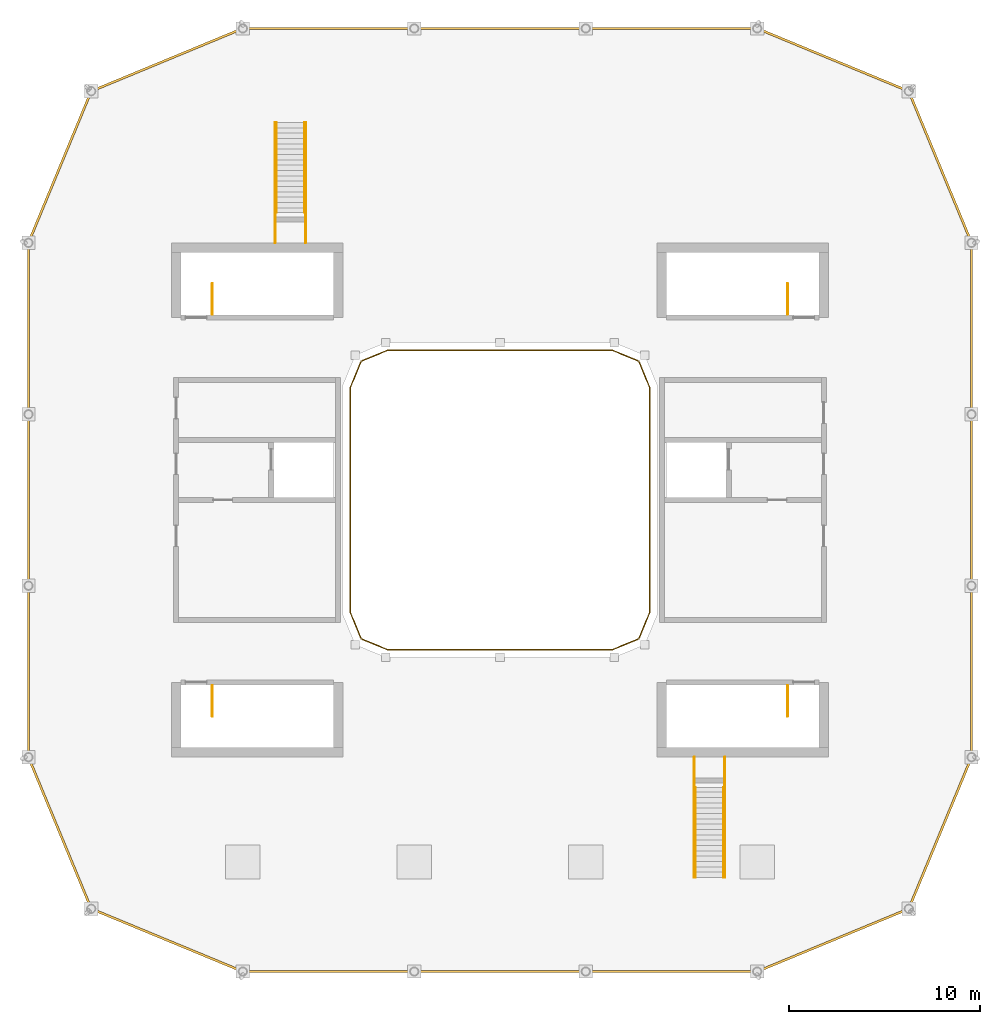
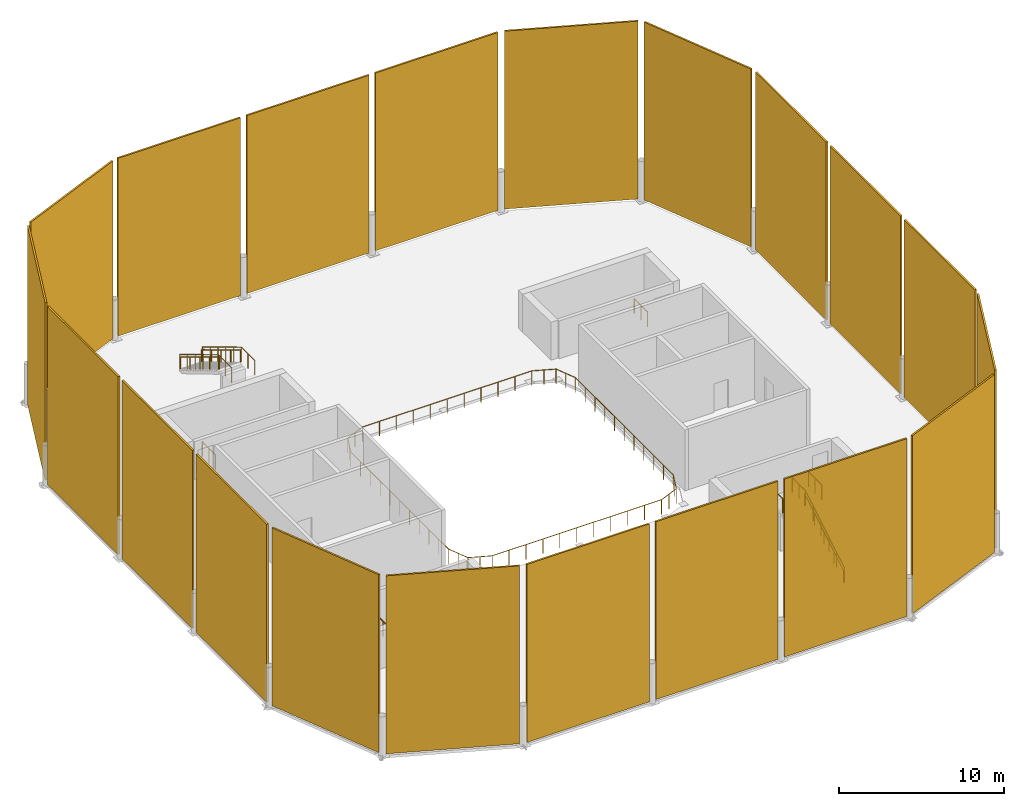
# One storey, part 8 of 8: 20 shading devices, 14 railings.
"""IFC4 building model written with IfcOpenShell, lengths in metres."""

from ifc_helpers import new_model, si_unit, direction, frame, origin, origin_2d, place, context, subcontext, project, spatial, rectangle, circle, extrude, material, layer, layer_set, type_object, element, save


model = new_model("IFC4")

# Units and contexts
model_context = context("Model", 3, precision=1e-05, world=origin(), true_north=direction((0.0, 1.0)))
body_context = subcontext(model_context, "Body", "Model", "MODEL_VIEW")
ifc_project = project(units=[si_unit("LENGTHUNIT", "METRE"), si_unit("AREAUNIT", "SQUARE_METRE"), si_unit("VOLUMEUNIT", "CUBIC_METRE"), si_unit("PLANEANGLEUNIT", "RADIAN"), si_unit("MASSUNIT", "GRAM", prefix="KILO")], contexts=[model_context])

# Site, building, storey
site_placement = place(None, origin())
site = spatial("IfcSite", under=ifc_project, at=site_placement, CompositionType="ELEMENT")
building_placement = place(site_placement, origin())
building = spatial("IfcBuilding", under=site, at=building_placement, Name="Siwar Civic Tower", CompositionType="ELEMENT")
storey_placement = place(building_placement, frame((0.0, 0.0, 358.199951171875)))
storey = spatial("IfcBuildingStorey", under=building, at=storey_placement, Name="ROOF", CompositionType="ELEMENT", Elevation=358.199951171875)

# Railings
ifc_material_1 = material(Name="Stainless steel", Category="steel")
railing_type_1 = type_object("IfcRailingType", Name="CORE-STAIR-GUARD", PredefinedType="GUARDRAIL", material=ifc_material_1)
for number, where, name in (
    (1, (-15.10009765625, 9.75, 0.0), "Stair well guard ST1"),
    (2, (-15.10009765625, -11.35009765625, 0.0), "Stair well guard ST2"),
    (3, (15.10009765625, 9.75, 0.0), "Stair well guard ST3"),
    (4, (15.10009765625, -11.35009765625, 0.0), "Stair well guard ST4"),
):
    element("IfcRailing", number, at=place(storey_placement, frame(where)), inside=storey, type_object=railing_type_1, Name=name, PredefinedType="GUARDRAIL", context=body_context, shape_type="SweptSolid", body=[
        extrude(circle(Radius=0.02490234375, at=origin_2d()), frame((0.0, 0.0, 1.0751953125), z_axis=(0.0, 1.0, 0.0), x_axis=(-1.0, 0.0, 0.0)), (0.0, 0.0, 1.0), 1.60009765625),
        extrude(circle(Radius=0.02001953125, at=origin_2d()), origin(), (0.0, 0.0, 1.0), 1.050048828125),
        extrude(circle(Radius=0.02001953125, at=origin_2d()), frame((0.0, 0.800048828125, 0.0)), (0.0, 0.0, 1.0), 1.050048828125),
        extrude(circle(Radius=0.02001953125, at=origin_2d()), frame((0.0, 1.60009765625, 0.0)), (0.0, 0.0, 1.0), 1.050048828125),
    ])
for number, where, name in (
    (5, (-10.199951171875, 19.81005859375, 0.166748046875), "Stair guard RS1"),
    (6, (-11.800048828125, 19.81005859375, 0.166748046875), "Stair guard RS1"),
):
    element("IfcRailing", number, at=place(storey_placement, frame(where)), inside=storey, type_object=railing_type_1, Name=name, PredefinedType="GUARDRAIL", context=body_context, shape_type="SweptSolid", body=[
        extrude(circle(Radius=0.02490234375, at=origin_2d()), frame((0.0, 0.0, 1.0751953125), z_axis=(0.0, -0.856908409796, 0.515468696645), x_axis=(1.0, 0.0, 0.0)), (0.0, 0.0, 1.0), 5.496337890625),
        extrude(circle(Radius=0.02490234375, at=origin_2d()), frame((0.0, -4.7099609375, 3.908203125), z_axis=(0.0, -1.0, 0.0), x_axis=(1.0, 0.0, 0.0)), (0.0, 0.0, 1.0), 1.60009765625),
        extrude(circle(Radius=0.02001953125, at=origin_2d()), origin(), (0.0, 0.0, 1.0), 1.050048828125),
        extrude(circle(Radius=0.02001953125, at=origin_2d()), frame((0.0, -0.94189453125, 0.566650390625)), (0.0, 0.0, 1.0), 1.050048828125),
        extrude(circle(Radius=0.02001953125, at=origin_2d()), frame((0.0, -1.884033203125, 1.13330078125)), (0.0, 0.0, 1.0), 1.050048828125),
        extrude(circle(Radius=0.02001953125, at=origin_2d()), frame((0.0, -2.825927734375, 1.699951171875)), (0.0, 0.0, 1.0), 1.050048828125),
        extrude(circle(Radius=0.02001953125, at=origin_2d()), frame((0.0, -3.76806640625, 2.2666015625)), (0.0, 0.0, 1.0), 1.050048828125),
        extrude(circle(Radius=0.02001953125, at=origin_2d()), frame((0.0, -4.7099609375, 2.833251953125)), (0.0, 0.0, 1.0), 1.050048828125),
        extrude(circle(Radius=0.02001953125, at=origin_2d()), frame((0.0, -5.510009765625, 2.833251953125)), (0.0, 0.0, 1.0), 1.050048828125),
        extrude(circle(Radius=0.02001953125, at=origin_2d()), frame((0.0, -6.31005859375, 2.833251953125)), (0.0, 0.0, 1.0), 1.050048828125),
    ])
for number, where, name in (
    (7, (10.199951171875, -19.81005859375, 0.166748046875), "Stair guard RS2"),
    (8, (11.800048828125, -19.81005859375, 0.166748046875), "Stair guard RS2"),
):
    element("IfcRailing", number, at=place(storey_placement, frame(where)), inside=storey, type_object=railing_type_1, Name=name, PredefinedType="GUARDRAIL", context=body_context, shape_type="SweptSolid", body=[
        extrude(circle(Radius=0.02490234375, at=origin_2d()), frame((0.0, 0.0, 1.0751953125), z_axis=(0.0, 0.856908409796, 0.515468696645), x_axis=(-1.0, 0.0, 0.0)), (0.0, 0.0, 1.0), 5.496337890625),
        extrude(circle(Radius=0.02490234375, at=origin_2d()), frame((0.0, 4.7099609375, 3.908203125), z_axis=(0.0, 1.0, 0.0), x_axis=(-1.0, 0.0, 0.0)), (0.0, 0.0, 1.0), 1.60009765625),
        extrude(circle(Radius=0.02001953125, at=origin_2d()), origin(), (0.0, 0.0, 1.0), 1.050048828125),
        extrude(circle(Radius=0.02001953125, at=origin_2d()), frame((0.0, 0.94189453125, 0.566650390625)), (0.0, 0.0, 1.0), 1.050048828125),
        extrude(circle(Radius=0.02001953125, at=origin_2d()), frame((0.0, 1.884033203125, 1.13330078125)), (0.0, 0.0, 1.0), 1.050048828125),
        extrude(circle(Radius=0.02001953125, at=origin_2d()), frame((0.0, 2.825927734375, 1.699951171875)), (0.0, 0.0, 1.0), 1.050048828125),
        extrude(circle(Radius=0.02001953125, at=origin_2d()), frame((0.0, 3.76806640625, 2.2666015625)), (0.0, 0.0, 1.0), 1.050048828125),
        extrude(circle(Radius=0.02001953125, at=origin_2d()), frame((0.0, 4.7099609375, 2.833251953125)), (0.0, 0.0, 1.0), 1.050048828125),
        extrude(circle(Radius=0.02001953125, at=origin_2d()), frame((0.0, 5.510009765625, 2.833251953125)), (0.0, 0.0, 1.0), 1.050048828125),
        extrude(circle(Radius=0.02001953125, at=origin_2d()), frame((0.0, 6.31005859375, 2.833251953125)), (0.0, 0.0, 1.0), 1.050048828125),
    ])
ifc_material_2 = material(Name="Stainless steel", Category="steel")
railing_type_2 = type_object("IfcRailingType", Name="CORE-STAIR-HANDRAIL", PredefinedType="HANDRAIL", material=ifc_material_2)
for number, where, name in (
    (9, (-10.258056640625, 19.81005859375, 0.166748046875), "Stair handrail RS1"),
    (10, (-11.741943359375, 19.81005859375, 0.166748046875), "Stair handrail RS1"),
):
    element("IfcRailing", number, at=place(storey_placement, frame(where)), inside=storey, type_object=railing_type_2, Name=name, PredefinedType="HANDRAIL", context=body_context, shape_type="SweptSolid", body=[
        extrude(circle(Radius=0.02001953125, at=origin_2d()), frame((0.0, 0.0, 0.8798828125), z_axis=(0.0, -0.856908409796, 0.515468696645), x_axis=(1.0, 0.0, 0.0)), (0.0, 0.0, 1.0), 5.496337890625),
        extrude(circle(Radius=0.02001953125, at=origin_2d()), origin(), (0.0, 0.0, 1.0), 0.85986328125),
        extrude(circle(Radius=0.02001953125, at=origin_2d()), frame((0.0, -1.177490234375, 0.708251953125)), (0.0, 0.0, 1.0), 0.85986328125),
        extrude(circle(Radius=0.02001953125, at=origin_2d()), frame((0.0, -2.35498046875, 1.41650390625)), (0.0, 0.0, 1.0), 0.85986328125),
        extrude(circle(Radius=0.02001953125, at=origin_2d()), frame((0.0, -3.532470703125, 2.125)), (0.0, 0.0, 1.0), 0.85986328125),
        extrude(circle(Radius=0.02001953125, at=origin_2d()), frame((0.0, -4.7099609375, 2.833251953125)), (0.0, 0.0, 1.0), 0.85986328125),
    ])
for number, where, name in (
    (11, (10.258056640625, -19.81005859375, 0.166748046875), "Stair handrail RS2"),
    (12, (11.741943359375, -19.81005859375, 0.166748046875), "Stair handrail RS2"),
):
    element("IfcRailing", number, at=place(storey_placement, frame(where)), inside=storey, type_object=railing_type_2, Name=name, PredefinedType="HANDRAIL", context=body_context, shape_type="SweptSolid", body=[
        extrude(circle(Radius=0.02001953125, at=origin_2d()), frame((0.0, 0.0, 0.8798828125), z_axis=(0.0, 0.856908409796, 0.515468696645), x_axis=(-1.0, 0.0, 0.0)), (0.0, 0.0, 1.0), 5.496337890625),
        extrude(circle(Radius=0.02001953125, at=origin_2d()), origin(), (0.0, 0.0, 1.0), 0.85986328125),
        extrude(circle(Radius=0.02001953125, at=origin_2d()), frame((0.0, 1.177490234375, 0.708251953125)), (0.0, 0.0, 1.0), 0.85986328125),
        extrude(circle(Radius=0.02001953125, at=origin_2d()), frame((0.0, 2.35498046875, 1.41650390625)), (0.0, 0.0, 1.0), 0.85986328125),
        extrude(circle(Radius=0.02001953125, at=origin_2d()), frame((0.0, 3.532470703125, 2.125)), (0.0, 0.0, 1.0), 0.85986328125),
        extrude(circle(Radius=0.02001953125, at=origin_2d()), frame((0.0, 4.7099609375, 2.833251953125)), (0.0, 0.0, 1.0), 0.85986328125),
    ])
ifc_material_3 = material(Name="Stainless steel 316", Category="steel")
railing_type_3 = type_object("IfcRailingType", Name="ENV-GUARD-ROOF", PredefinedType="GUARDRAIL", material=ifc_material_3)
railing_1_placement = place(storey_placement, frame((-5.92041015625, -7.85009765625, 0.0)))
element("IfcRailing", 13, at=railing_1_placement, inside=storey, type_object=railing_type_3, Name="Roof deck guard round the well a", PredefinedType="GUARDRAIL", context=body_context, shape_type="SweptSolid", body=[
    extrude(circle(Radius=0.02392578125, at=origin_2d()), frame((0.0, 0.0, 1.076171875), z_axis=(1.0, 0.0, 0.0), x_axis=(0.0, 1.0, 0.0)), (0.0, 0.0, 1.0), 11.8408203125),
    extrude(circle(Radius=0.02392578125, at=origin_2d()), frame((11.8408203125, 0.0, 1.076171875), z_axis=(0.923881846869, 0.382677844964, 0.0), x_axis=(-0.382677844964, 0.923881846869, 0.0)), (0.0, 0.0, 1.0), 1.476806640625),
    extrude(circle(Radius=0.02392578125, at=origin_2d()), frame((13.205322265625, 0.565185546875, 1.076171875), z_axis=(0.382677844964, 0.923881846869, 0.0), x_axis=(-0.923881846869, 0.382677844964, 0.0)), (0.0, 0.0, 1.0), 1.476806640625),
    extrude(circle(Radius=0.02392578125, at=origin_2d()), frame((13.7705078125, 1.9296875, 1.076171875), z_axis=(0.0, 1.0, 0.0), x_axis=(-1.0, 0.0, 0.0)), (0.0, 0.0, 1.0), 11.8408203125),
    extrude(circle(Radius=0.02392578125, at=origin_2d()), frame((13.7705078125, 13.7705078125, 1.076171875), z_axis=(-0.382677844964, 0.923881846869, 0.0), x_axis=(-0.923881846869, -0.382677844964, 0.0)), (0.0, 0.0, 1.0), 1.476806640625),
    extrude(circle(Radius=0.02392578125, at=origin_2d()), frame((13.205322265625, 15.135009765625, 1.076171875), z_axis=(-0.923881846869, 0.382677844964, 0.0), x_axis=(-0.382677844964, -0.923881846869, 0.0)), (0.0, 0.0, 1.0), 1.476806640625),
    extrude(circle(Radius=0.02099609375, at=origin_2d()), origin(), (0.0, 0.0, 1.0), 1.052001953125),
    extrude(circle(Radius=0.02099609375, at=origin_2d()), frame((1.18408203125, 0.0, 0.0)), (0.0, 0.0, 1.0), 1.052001953125),
    extrude(circle(Radius=0.02099609375, at=origin_2d()), frame((2.3681640625, 0.0, 0.0)), (0.0, 0.0, 1.0), 1.052001953125),
    extrude(circle(Radius=0.02099609375, at=origin_2d()), frame((3.55224609375, 0.0, 0.0)), (0.0, 0.0, 1.0), 1.052001953125),
    extrude(circle(Radius=0.02099609375, at=origin_2d()), frame((4.736328125, 0.0, 0.0)), (0.0, 0.0, 1.0), 1.052001953125),
    extrude(circle(Radius=0.02099609375, at=origin_2d()), frame((5.92041015625, 0.0, 0.0)), (0.0, 0.0, 1.0), 1.052001953125),
    extrude(circle(Radius=0.02099609375, at=origin_2d()), frame((7.1044921875, 0.0, 0.0)), (0.0, 0.0, 1.0), 1.052001953125),
    extrude(circle(Radius=0.02099609375, at=origin_2d()), frame((8.28857421875, 0.0, 0.0)), (0.0, 0.0, 1.0), 1.052001953125),
    extrude(circle(Radius=0.02099609375, at=origin_2d()), frame((9.47265625, 0.0, 0.0)), (0.0, 0.0, 1.0), 1.052001953125),
    extrude(circle(Radius=0.02099609375, at=origin_2d()), frame((10.65673828125, 0.0, 0.0)), (0.0, 0.0, 1.0), 1.052001953125),
    extrude(circle(Radius=0.02099609375, at=origin_2d()), frame((11.8408203125, 0.0, 0.0)), (0.0, 0.0, 1.0), 1.052001953125),
    extrude(circle(Radius=0.02099609375, at=origin_2d()), frame((12.52294921875, 0.28271484375, 0.0)), (0.0, 0.0, 1.0), 1.052001953125),
    extrude(circle(Radius=0.02099609375, at=origin_2d()), frame((13.205322265625, 0.565185546875, 0.0)), (0.0, 0.0, 1.0), 1.052001953125),
    extrude(circle(Radius=0.02099609375, at=origin_2d()), frame((13.48779296875, 1.24755859375, 0.0)), (0.0, 0.0, 1.0), 1.052001953125),
    extrude(circle(Radius=0.02099609375, at=origin_2d()), frame((13.7705078125, 1.9296875, 0.0)), (0.0, 0.0, 1.0), 1.052001953125),
    extrude(circle(Radius=0.02099609375, at=origin_2d()), frame((13.7705078125, 3.11376953125, 0.0)), (0.0, 0.0, 1.0), 1.052001953125),
    extrude(circle(Radius=0.02099609375, at=origin_2d()), frame((13.7705078125, 4.2978515625, 0.0)), (0.0, 0.0, 1.0), 1.052001953125),
    extrude(circle(Radius=0.02099609375, at=origin_2d()), frame((13.7705078125, 5.48193359375, 0.0)), (0.0, 0.0, 1.0), 1.052001953125),
    extrude(circle(Radius=0.02099609375, at=origin_2d()), frame((13.7705078125, 6.666015625, 0.0)), (0.0, 0.0, 1.0), 1.052001953125),
    extrude(circle(Radius=0.02099609375, at=origin_2d()), frame((13.7705078125, 7.85009765625, 0.0)), (0.0, 0.0, 1.0), 1.052001953125),
    extrude(circle(Radius=0.02099609375, at=origin_2d()), frame((13.7705078125, 9.0341796875, 0.0)), (0.0, 0.0, 1.0), 1.052001953125),
    extrude(circle(Radius=0.02099609375, at=origin_2d()), frame((13.7705078125, 10.21826171875, 0.0)), (0.0, 0.0, 1.0), 1.052001953125),
    extrude(circle(Radius=0.02099609375, at=origin_2d()), frame((13.7705078125, 11.40234375, 0.0)), (0.0, 0.0, 1.0), 1.052001953125),
    extrude(circle(Radius=0.02099609375, at=origin_2d()), frame((13.7705078125, 12.58642578125, 0.0)), (0.0, 0.0, 1.0), 1.052001953125),
    extrude(circle(Radius=0.02099609375, at=origin_2d()), frame((13.7705078125, 13.7705078125, 0.0)), (0.0, 0.0, 1.0), 1.052001953125),
    extrude(circle(Radius=0.02099609375, at=origin_2d()), frame((13.48779296875, 14.45263671875, 0.0)), (0.0, 0.0, 1.0), 1.052001953125),
    extrude(circle(Radius=0.02099609375, at=origin_2d()), frame((13.205322265625, 15.135009765625, 0.0)), (0.0, 0.0, 1.0), 1.052001953125),
    extrude(circle(Radius=0.02099609375, at=origin_2d()), frame((12.52294921875, 15.41748046875, 0.0)), (0.0, 0.0, 1.0), 1.052001953125),
    extrude(circle(Radius=0.02099609375, at=origin_2d()), frame((11.8408203125, 15.7001953125, 0.0)), (0.0, 0.0, 1.0), 1.052001953125),
])
railing_2_placement = place(storey_placement, frame((5.92041015625, 7.85009765625, 0.0)))
element("IfcRailing", 14, at=railing_2_placement, inside=storey, type_object=railing_type_3, Name="Roof deck guard round the well b", PredefinedType="GUARDRAIL", context=body_context, shape_type="SweptSolid", body=[
    extrude(circle(Radius=0.02392578125, at=origin_2d()), frame((0.0, 0.0, 1.076171875), z_axis=(-1.0, 0.0, 0.0), x_axis=(0.0, -1.0, 0.0)), (0.0, 0.0, 1.0), 11.8408203125),
    extrude(circle(Radius=0.02392578125, at=origin_2d()), frame((-11.8408203125, 0.0, 1.076171875), z_axis=(-0.923881846869, -0.382677844964, 0.0), x_axis=(0.382677844964, -0.923881846869, 0.0)), (0.0, 0.0, 1.0), 1.476806640625),
    extrude(circle(Radius=0.02392578125, at=origin_2d()), frame((-13.205322265625, -0.565185546875, 1.076171875), z_axis=(-0.382677844964, -0.923881846869, 0.0), x_axis=(0.923881846869, -0.382677844964, 0.0)), (0.0, 0.0, 1.0), 1.476806640625),
    extrude(circle(Radius=0.02392578125, at=origin_2d()), frame((-13.7705078125, -1.9296875, 1.076171875), z_axis=(0.0, -1.0, 0.0), x_axis=(1.0, 0.0, 0.0)), (0.0, 0.0, 1.0), 11.8408203125),
    extrude(circle(Radius=0.02392578125, at=origin_2d()), frame((-13.7705078125, -13.7705078125, 1.076171875), z_axis=(0.382677844964, -0.923881846869, 0.0), x_axis=(0.923881846869, 0.382677844964, 0.0)), (0.0, 0.0, 1.0), 1.476806640625),
    extrude(circle(Radius=0.02392578125, at=origin_2d()), frame((-13.205322265625, -15.135009765625, 1.076171875), z_axis=(0.923881846869, -0.382677844964, 0.0), x_axis=(0.382677844964, 0.923881846869, 0.0)), (0.0, 0.0, 1.0), 1.476806640625),
    extrude(circle(Radius=0.02099609375, at=origin_2d()), origin(), (0.0, 0.0, 1.0), 1.052001953125),
    extrude(circle(Radius=0.02099609375, at=origin_2d()), frame((-1.18408203125, 0.0, 0.0)), (0.0, 0.0, 1.0), 1.052001953125),
    extrude(circle(Radius=0.02099609375, at=origin_2d()), frame((-2.3681640625, 0.0, 0.0)), (0.0, 0.0, 1.0), 1.052001953125),
    extrude(circle(Radius=0.02099609375, at=origin_2d()), frame((-3.55224609375, 0.0, 0.0)), (0.0, 0.0, 1.0), 1.052001953125),
    extrude(circle(Radius=0.02099609375, at=origin_2d()), frame((-4.736328125, 0.0, 0.0)), (0.0, 0.0, 1.0), 1.052001953125),
    extrude(circle(Radius=0.02099609375, at=origin_2d()), frame((-5.92041015625, 0.0, 0.0)), (0.0, 0.0, 1.0), 1.052001953125),
    extrude(circle(Radius=0.02099609375, at=origin_2d()), frame((-7.1044921875, 0.0, 0.0)), (0.0, 0.0, 1.0), 1.052001953125),
    extrude(circle(Radius=0.02099609375, at=origin_2d()), frame((-8.28857421875, 0.0, 0.0)), (0.0, 0.0, 1.0), 1.052001953125),
    extrude(circle(Radius=0.02099609375, at=origin_2d()), frame((-9.47265625, 0.0, 0.0)), (0.0, 0.0, 1.0), 1.052001953125),
    extrude(circle(Radius=0.02099609375, at=origin_2d()), frame((-10.65673828125, 0.0, 0.0)), (0.0, 0.0, 1.0), 1.052001953125),
    extrude(circle(Radius=0.02099609375, at=origin_2d()), frame((-11.8408203125, 0.0, 0.0)), (0.0, 0.0, 1.0), 1.052001953125),
    extrude(circle(Radius=0.02099609375, at=origin_2d()), frame((-12.52294921875, -0.28271484375, 0.0)), (0.0, 0.0, 1.0), 1.052001953125),
    extrude(circle(Radius=0.02099609375, at=origin_2d()), frame((-13.205322265625, -0.565185546875, 0.0)), (0.0, 0.0, 1.0), 1.052001953125),
    extrude(circle(Radius=0.02099609375, at=origin_2d()), frame((-13.48779296875, -1.24755859375, 0.0)), (0.0, 0.0, 1.0), 1.052001953125),
    extrude(circle(Radius=0.02099609375, at=origin_2d()), frame((-13.7705078125, -1.9296875, 0.0)), (0.0, 0.0, 1.0), 1.052001953125),
    extrude(circle(Radius=0.02099609375, at=origin_2d()), frame((-13.7705078125, -3.11376953125, 0.0)), (0.0, 0.0, 1.0), 1.052001953125),
    extrude(circle(Radius=0.02099609375, at=origin_2d()), frame((-13.7705078125, -4.2978515625, 0.0)), (0.0, 0.0, 1.0), 1.052001953125),
    extrude(circle(Radius=0.02099609375, at=origin_2d()), frame((-13.7705078125, -5.48193359375, 0.0)), (0.0, 0.0, 1.0), 1.052001953125),
    extrude(circle(Radius=0.02099609375, at=origin_2d()), frame((-13.7705078125, -6.666015625, 0.0)), (0.0, 0.0, 1.0), 1.052001953125),
    extrude(circle(Radius=0.02099609375, at=origin_2d()), frame((-13.7705078125, -7.85009765625, 0.0)), (0.0, 0.0, 1.0), 1.052001953125),
    extrude(circle(Radius=0.02099609375, at=origin_2d()), frame((-13.7705078125, -9.0341796875, 0.0)), (0.0, 0.0, 1.0), 1.052001953125),
    extrude(circle(Radius=0.02099609375, at=origin_2d()), frame((-13.7705078125, -10.21826171875, 0.0)), (0.0, 0.0, 1.0), 1.052001953125),
    extrude(circle(Radius=0.02099609375, at=origin_2d()), frame((-13.7705078125, -11.40234375, 0.0)), (0.0, 0.0, 1.0), 1.052001953125),
    extrude(circle(Radius=0.02099609375, at=origin_2d()), frame((-13.7705078125, -12.58642578125, 0.0)), (0.0, 0.0, 1.0), 1.052001953125),
    extrude(circle(Radius=0.02099609375, at=origin_2d()), frame((-13.7705078125, -13.7705078125, 0.0)), (0.0, 0.0, 1.0), 1.052001953125),
    extrude(circle(Radius=0.02099609375, at=origin_2d()), frame((-13.48779296875, -14.45263671875, 0.0)), (0.0, 0.0, 1.0), 1.052001953125),
    extrude(circle(Radius=0.02099609375, at=origin_2d()), frame((-13.205322265625, -15.135009765625, 0.0)), (0.0, 0.0, 1.0), 1.052001953125),
    extrude(circle(Radius=0.02099609375, at=origin_2d()), frame((-12.52294921875, -15.41748046875, 0.0)), (0.0, 0.0, 1.0), 1.052001953125),
    extrude(circle(Radius=0.02099609375, at=origin_2d()), frame((-11.8408203125, -15.7001953125, 0.0)), (0.0, 0.0, 1.0), 1.052001953125),
])

# Shading devices
ifc_material_4 = material(Name="Aluminium louvre blade", Category="aluminium")
ifc_layer = layer(ifc_material_4, 0.1201171875)
ifc_layer_set = layer_set([ifc_layer], Name="Aluminium louvre blade")
shading_device_type = type_object("IfcShadingDeviceType", Name="ENV-LOUVRE SCREEN", PredefinedType="JALOUSIE", material=ifc_layer_set)
for number, where, z_axis, x_axis, name in (
    (15, (-9.0, -24.75, 0.150146484375), (0.0, 0.0, 1.0), (1.0, 0.0, 0.0), "LOUVRE screen 1"),
    (16, (0.0, -24.75, 0.150146484375), (0.0, 0.0, 1.0), (1.0, 0.0, 0.0), "LOUVRE screen 2"),
    (17, (9.0, -24.75, 0.150146484375), (0.0, 0.0, 1.0), (1.0, 0.0, 0.0), "LOUVRE screen 3"),
):
    element("IfcShadingDevice", number, at=place(storey_placement, frame(where, z_axis=z_axis, x_axis=x_axis)), inside=storey, type_object=shading_device_type, Name=name, PredefinedType="JALOUSIE", context=body_context, shape_type="SweptSolid", body=[
        extrude(rectangle(XDim=8.54296875, YDim=0.1201171875, at=origin_2d()), origin(), (0.0, 0.0, 1.0), 13.14990234375),
    ])
for number, where, z_axis, x_axis, name in (
    (18, (17.4775390625, -23.1025390625, 0.150146484375), (0.0, 0.0, 1.0), (0.923879515767, 0.38268347279, 0.0), "LOUVRE screen 4"),
    (19, (23.1025390625, -17.4775390625, 0.150146484375), (0.0, 0.0, 1.0), (0.38268347279, 0.923879515767, 0.0), "LOUVRE screen 5"),
):
    element("IfcShadingDevice", number, at=place(storey_placement, frame(where, z_axis=z_axis, x_axis=x_axis)), inside=storey, type_object=shading_device_type, Name=name, PredefinedType="JALOUSIE", context=body_context, shape_type="SweptSolid", body=[
        extrude(rectangle(XDim=8.1533203125, YDim=0.1201171875, at=origin_2d()), origin(), (0.0, 0.0, 1.0), 13.14990234375),
    ])
for number, where, z_axis, x_axis, name in (
    (20, (24.75, -9.0, 0.150146484375), (0.0, 0.0, 1.0), (0.0, 1.0, 0.0), "LOUVRE screen 6"),
    (21, (24.75, 0.0, 0.150146484375), (0.0, 0.0, 1.0), (0.0, 1.0, 0.0), "LOUVRE screen 7"),
    (22, (24.75, 9.0, 0.150146484375), (0.0, 0.0, 1.0), (0.0, 1.0, 0.0), "LOUVRE screen 8"),
):
    element("IfcShadingDevice", number, at=place(storey_placement, frame(where, z_axis=z_axis, x_axis=x_axis)), inside=storey, type_object=shading_device_type, Name=name, PredefinedType="JALOUSIE", context=body_context, shape_type="SweptSolid", body=[
        extrude(rectangle(XDim=8.54296875, YDim=0.1201171875, at=origin_2d()), origin(), (0.0, 0.0, 1.0), 13.14990234375),
    ])
for number, where, z_axis, x_axis, name in (
    (23, (23.1025390625, 17.4775390625, 0.150146484375), (0.0, 0.0, 1.0), (-0.38268347279, 0.923879515767, 0.0), "LOUVRE screen 9"),
    (24, (17.4775390625, 23.1025390625, 0.150146484375), (0.0, 0.0, 1.0), (-0.923879515767, 0.38268347279, 0.0), "LOUVRE screen 10"),
):
    element("IfcShadingDevice", number, at=place(storey_placement, frame(where, z_axis=z_axis, x_axis=x_axis)), inside=storey, type_object=shading_device_type, Name=name, PredefinedType="JALOUSIE", context=body_context, shape_type="SweptSolid", body=[
        extrude(rectangle(XDim=8.1533203125, YDim=0.1201171875, at=origin_2d()), origin(), (0.0, 0.0, 1.0), 13.14990234375),
    ])
for number, where, z_axis, x_axis, name in (
    (25, (9.0, 24.75, 0.150146484375), (0.0, 0.0, 1.0), (-1.0, 0.0, 0.0), "LOUVRE screen 11"),
    (26, (0.0, 24.75, 0.150146484375), (0.0, 0.0, 1.0), (-1.0, 0.0, 0.0), "LOUVRE screen 12"),
    (27, (-9.0, 24.75, 0.150146484375), (0.0, 0.0, 1.0), (-1.0, 0.0, 0.0), "LOUVRE screen 13"),
):
    element("IfcShadingDevice", number, at=place(storey_placement, frame(where, z_axis=z_axis, x_axis=x_axis)), inside=storey, type_object=shading_device_type, Name=name, PredefinedType="JALOUSIE", context=body_context, shape_type="SweptSolid", body=[
        extrude(rectangle(XDim=8.54296875, YDim=0.1201171875, at=origin_2d()), origin(), (0.0, 0.0, 1.0), 13.14990234375),
    ])
for number, where, z_axis, x_axis, name in (
    (28, (-17.4775390625, 23.1025390625, 0.150146484375), (0.0, 0.0, 1.0), (-0.923879515767, -0.38268347279, 0.0), "LOUVRE screen 14"),
    (29, (-23.1025390625, 17.4775390625, 0.150146484375), (0.0, 0.0, 1.0), (-0.38268347279, -0.923879515767, 0.0), "LOUVRE screen 15"),
):
    element("IfcShadingDevice", number, at=place(storey_placement, frame(where, z_axis=z_axis, x_axis=x_axis)), inside=storey, type_object=shading_device_type, Name=name, PredefinedType="JALOUSIE", context=body_context, shape_type="SweptSolid", body=[
        extrude(rectangle(XDim=8.1533203125, YDim=0.1201171875, at=origin_2d()), origin(), (0.0, 0.0, 1.0), 13.14990234375),
    ])
for number, where, z_axis, x_axis, name in (
    (30, (-24.75, 9.0, 0.150146484375), (0.0, 0.0, 1.0), (0.0, -1.0, 0.0), "LOUVRE screen 16"),
    (31, (-24.75, 0.0, 0.150146484375), (0.0, 0.0, 1.0), (0.0, -1.0, 0.0), "LOUVRE screen 17"),
    (32, (-24.75, -9.0, 0.150146484375), (0.0, 0.0, 1.0), (0.0, -1.0, 0.0), "LOUVRE screen 18"),
):
    element("IfcShadingDevice", number, at=place(storey_placement, frame(where, z_axis=z_axis, x_axis=x_axis)), inside=storey, type_object=shading_device_type, Name=name, PredefinedType="JALOUSIE", context=body_context, shape_type="SweptSolid", body=[
        extrude(rectangle(XDim=8.54296875, YDim=0.1201171875, at=origin_2d()), origin(), (0.0, 0.0, 1.0), 13.14990234375),
    ])
for number, where, z_axis, x_axis, name in (
    (33, (-23.1025390625, -17.4775390625, 0.150146484375), (0.0, 0.0, 1.0), (0.38268347279, -0.923879515767, 0.0), "LOUVRE screen 19"),
    (34, (-17.4775390625, -23.1025390625, 0.150146484375), (0.0, 0.0, 1.0), (0.923879515767, -0.38268347279, 0.0), "LOUVRE screen 20"),
):
    element("IfcShadingDevice", number, at=place(storey_placement, frame(where, z_axis=z_axis, x_axis=x_axis)), inside=storey, type_object=shading_device_type, Name=name, PredefinedType="JALOUSIE", context=body_context, shape_type="SweptSolid", body=[
        extrude(rectangle(XDim=8.1533203125, YDim=0.1201171875, at=origin_2d()), origin(), (0.0, 0.0, 1.0), 13.14990234375),
    ])

save(model, "model.ifc")
